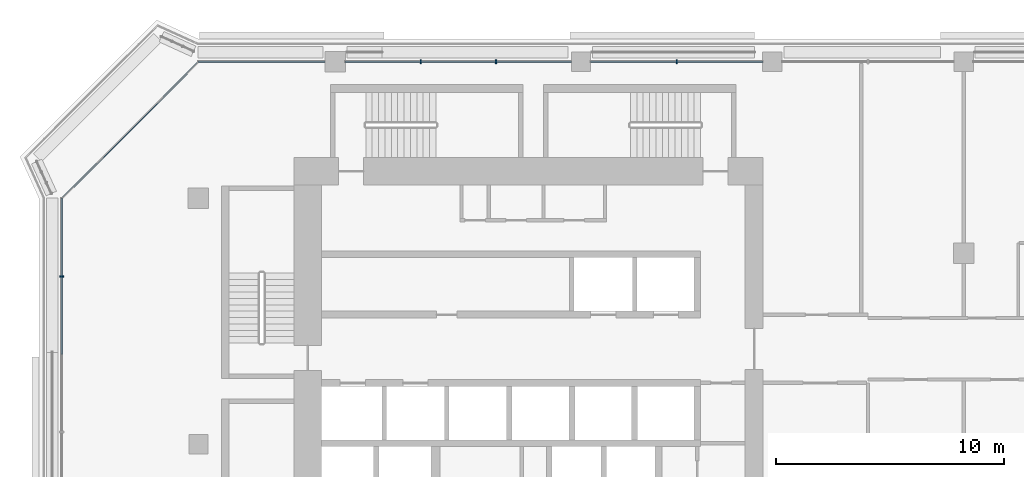
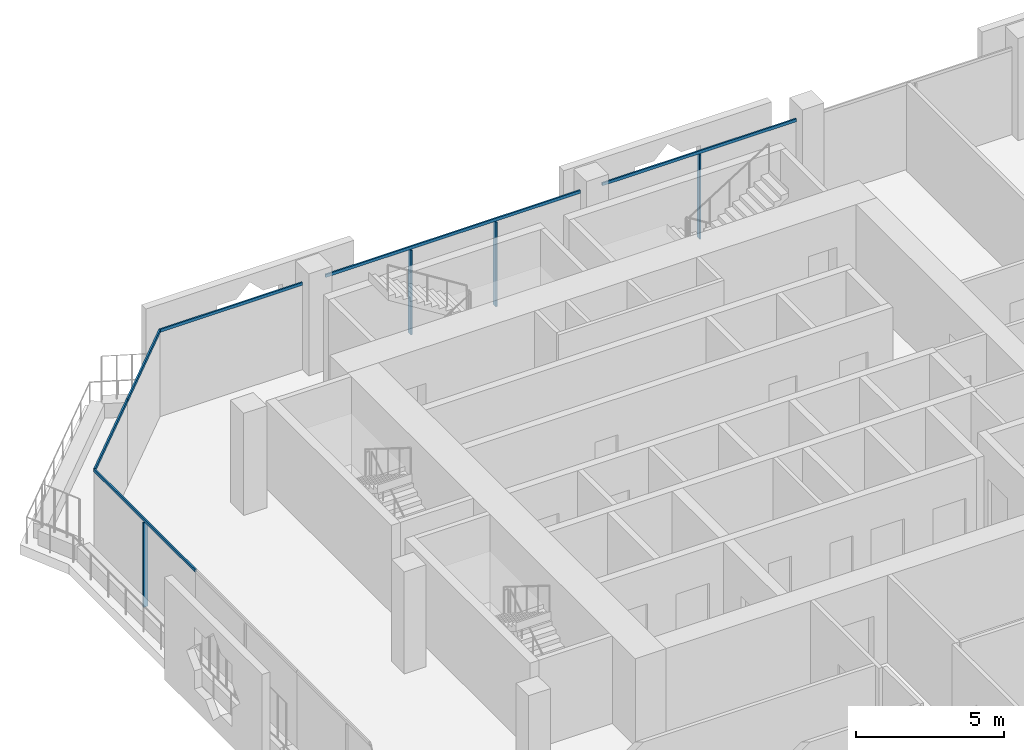
# One storey, part 5 of 21: 10 members, 3 elements without a shape of their own.
"""IFC4 building model written with IfcOpenShell, lengths in metres."""

from ifc_helpers import new_model, si_unit, direction, frame, origin, origin_2d, place, context, subcontext, project, spatial, rectangle, extrude, material, layer, layer_set, material_profile, profile_set, type_object, element, aggregate, save


model = new_model("IFC4")

# Units and contexts
model_context = context("Model", 3, precision=1e-05, world=origin(), true_north=direction((0.0, 1.0)))
body_context = subcontext(model_context, "Body", "Model", "MODEL_VIEW")
ifc_project = project(units=[si_unit("LENGTHUNIT", "METRE"), si_unit("AREAUNIT", "SQUARE_METRE"), si_unit("VOLUMEUNIT", "CUBIC_METRE"), si_unit("PLANEANGLEUNIT", "RADIAN"), si_unit("MASSUNIT", "GRAM", prefix="KILO")], contexts=[model_context])

# Site, building, storey
site_placement = place(None, origin())
site = spatial("IfcSite", under=ifc_project, at=site_placement, CompositionType="ELEMENT")
building_placement = place(site_placement, origin())
building = spatial("IfcBuilding", under=site, at=building_placement, Name="Kawkab Arch Medical Tower", CompositionType="ELEMENT")
storey_placement = place(building_placement, frame((0.0, 0.0, 264.199951171875)))
storey = spatial("IfcBuildingStorey", under=building, at=storey_placement, Name="L61", CompositionType="ELEMENT", Elevation=264.199951171875)

# Curtain wall, member
ifc_material_1 = material(Name="Bronze anodised aluminium curtain wall frame", Category="aluminium")
ifc_layer_1 = layer(ifc_material_1, 0.159912109375)
ifc_layer_set_1 = layer_set([ifc_layer_1], Name="Bronze anodised aluminium curtain wall frame")
curtain_wall_type_1 = type_object("IfcCurtainWallType", Name="CW1 ward curtain wall", PredefinedType="NOTDEFINED", material=ifc_layer_set_1)
placement = place(storey_placement, origin())
curtain_wall_1 = element("IfcCurtainWall", 1, at=placement, inside=storey, type_object=curtain_wall_type_1, Name="CW1 Ward curtain wall R01", PredefinedType="NOTDEFINED")
ifc_material_2 = material(Name="Bronze anodised aluminium curtain wall frame", Category="aluminium")
ifc_material_profile_1 = material_profile(ifc_material_2, rectangle(XDim=0.179931640625, YDim=0.06005859375, at=origin_2d()), Name="AL 60x180")
ifc_profile_set_1 = profile_set([ifc_material_profile_1], Name="Bronze anodised aluminium curtain wall frame")
member_type_1 = type_object("IfcMemberType", Name="CW1 mullion 60 x 180", PredefinedType="MULLION", material=ifc_profile_set_1)
member_1_placement = place(storey_placement, frame((-6.0, -9.419921875, 0.0), z_axis=(0.0, 0.0, 1.0), x_axis=(1.0, 0.0, 0.0)))
member_1 = element("IfcMember", 2, at=member_1_placement, type_object=member_type_1, Name="CW1 mullion 1.1", PredefinedType="MULLION", context=body_context, shape_type="SweptSolid", body=[
    extrude(rectangle(XDim=0.179931640625, YDim=0.06005859375, at=origin_2d()), origin(), (0.0, 0.0, 1.0), 3.47998046875),
])

# Curtain wall, members
curtain_wall_2 = element("IfcCurtainWall", 3, at=placement, inside=storey, type_object=curtain_wall_type_1, Name="CW1 Ward curtain wall R11", PredefinedType="NOTDEFINED")
member_2_placement = place(storey_placement, frame((21.0, 0.0, 0.0), z_axis=(0.0, 0.0, 1.0), x_axis=(0.0, -1.0, 0.0)))
member_2 = element("IfcMember", 4, at=member_2_placement, type_object=member_type_1, Name="CW1 mullion 5.1", PredefinedType="MULLION", context=body_context, shape_type="SweptSolid", body=[
    extrude(rectangle(XDim=0.179931640625, YDim=0.06005859375, at=origin_2d()), origin(), (0.0, 0.0, 1.0), 3.47998046875),
])
member_3_placement = place(storey_placement, frame((13.066650390625, 0.0, 0.0), z_axis=(0.0, 0.0, 1.0), x_axis=(0.0, -1.0, 0.0)))
member_3 = element("IfcMember", 5, at=member_3_placement, type_object=member_type_1, Name="CW1 mullion 6.1", PredefinedType="MULLION", context=body_context, shape_type="SweptSolid", body=[
    extrude(rectangle(XDim=0.179931640625, YDim=0.06005859375, at=origin_2d()), origin(), (0.0, 0.0, 1.0), 3.47998046875),
])
member_4_placement = place(storey_placement, frame((9.75830078125, 0.0, 0.0), z_axis=(0.0, 0.0, 1.0), x_axis=(0.0, -1.0, 0.0)))
member_4 = element("IfcMember", 6, at=member_4_placement, type_object=member_type_1, Name="CW1 mullion 6.2", PredefinedType="MULLION", context=body_context, shape_type="SweptSolid", body=[
    extrude(rectangle(XDim=0.179931640625, YDim=0.06005859375, at=origin_2d()), origin(), (0.0, 0.0, 1.0), 3.47998046875),
])

# Member
ifc_material_3 = material(Name="Bronze anodised aluminium curtain wall frame", Category="aluminium")
ifc_material_profile_2 = material_profile(ifc_material_3, rectangle(XDim=0.06005859375, YDim=0.1201171875, at=origin_2d()), Name="AL 60x120")
ifc_profile_set_2 = profile_set([ifc_material_profile_2], Name="Bronze anodised aluminium curtain wall frame")
member_type_2 = type_object("IfcMemberType", Name="CW1 transom 120 x 60", PredefinedType="USERDEFINED", material=ifc_profile_set_2)
member_5_placement = place(storey_placement, frame((-6.0, -6.0, 3.5400390625), z_axis=(0.0, -1.0, 0.0), x_axis=(1.0, 0.0, 0.0)))
member_5 = element("IfcMember", 7, at=member_5_placement, type_object=member_type_2, Name="CW1 transom 1", ObjectType="TRANSOM", PredefinedType="USERDEFINED", context=body_context, shape_type="SweptSolid", body=[
    extrude(rectangle(XDim=0.06005859375, YDim=0.1201171875, at=origin_2d()), origin(), (0.0, 0.0, 1.0), 6.840087890625),
])

aggregate(curtain_wall_1, [member_5, member_1])

member_6_placement = place(storey_placement, frame((24.77490234375, 0.0, 3.5400390625), z_axis=(-1.0, 0.0, 0.0), x_axis=(0.0, -1.0, 0.0)))
member_6 = element("IfcMember", 8, at=member_6_placement, type_object=member_type_2, Name="CW1 transom 5", ObjectType="TRANSOM", PredefinedType="USERDEFINED", context=body_context, shape_type="SweptSolid", body=[
    extrude(rectangle(XDim=0.06005859375, YDim=0.1201171875, at=origin_2d()), origin(), (0.0, 0.0, 1.0), 7.5498046875),
])

member_7_placement = place(storey_placement, frame((16.375, 0.0, 3.5400390625), z_axis=(-1.0, 0.0, 0.0), x_axis=(0.0, -1.0, 0.0)))
member_7 = element("IfcMember", 9, at=member_7_placement, type_object=member_type_2, Name="CW1 transom 6", ObjectType="TRANSOM", PredefinedType="USERDEFINED", context=body_context, shape_type="SweptSolid", body=[
    extrude(rectangle(XDim=0.06005859375, YDim=0.1201171875, at=origin_2d()), origin(), (0.0, 0.0, 1.0), 9.925048828125),
])

member_8_placement = place(storey_placement, frame((5.550048828125, 0.0, 3.5400390625), z_axis=(-1.0, 0.0, 0.0), x_axis=(0.0, -1.0, 0.0)))
member_8 = element("IfcMember", 10, at=member_8_placement, type_object=member_type_2, Name="CW1 transom 7", ObjectType="TRANSOM", PredefinedType="USERDEFINED", context=body_context, shape_type="SweptSolid", body=[
    extrude(rectangle(XDim=0.06005859375, YDim=0.1201171875, at=origin_2d()), origin(), (0.0, 0.0, 1.0), 5.550048828125),
])

aggregate(curtain_wall_2, [member_6, member_2, member_7, member_3, member_4, member_8])

# Curtain wall, members
ifc_material_4 = material(Name="Bronze anodised aluminium curtain wall frame", Category="aluminium")
ifc_layer_2 = layer(ifc_material_4, 0.159912109375)
ifc_layer_set_2 = layer_set([ifc_layer_2], Name="Bronze anodised aluminium curtain wall frame")
curtain_wall_type_2 = type_object("IfcCurtainWallType", Name="CW2 chamfer curtain wall", PredefinedType="NOTDEFINED", material=ifc_layer_set_2)
curtain_wall_3 = element("IfcCurtainWall", 11, at=placement, inside=storey, type_object=curtain_wall_type_2, Name="CW2 Chamfer curtain wall R12", PredefinedType="NOTDEFINED")
ifc_material_5 = material(Name="Bronze anodised aluminium curtain wall frame", Category="aluminium")
ifc_material_profile_3 = material_profile(ifc_material_5, rectangle(XDim=0.06005859375, YDim=0.139892578125, at=origin_2d()), Name="AL 60x140")
ifc_profile_set_3 = profile_set([ifc_material_profile_3], Name="Bronze anodised aluminium curtain wall frame")
member_type_3 = type_object("IfcMemberType", Name="CW2 transom 140 x 60", PredefinedType="USERDEFINED", material=ifc_profile_set_3)
member_9_placement = place(storey_placement, frame((0.0, 0.0, 3.530029296875), z_axis=(-0.707106781187, -0.707106781187, 0.0), x_axis=(0.707106781187, -0.707106781187, 0.0)))
member_9 = element("IfcMember", 12, at=member_9_placement, type_object=member_type_3, Name="CW2 transom 1", ObjectType="TRANSOM", PredefinedType="USERDEFINED", context=body_context, shape_type="SweptSolid", body=[
    extrude(rectangle(XDim=0.06005859375, YDim=0.139892578125, at=origin_2d()), origin(), (0.0, 0.0, 1.0), 4.24267578125),
])
member_10_placement = place(storey_placement, frame((-3.0, -3.0, 3.530029296875), z_axis=(-0.707106781187, -0.707106781187, 0.0), x_axis=(0.707106781187, -0.707106781187, 0.0)))
member_10 = element("IfcMember", 13, at=member_10_placement, type_object=member_type_3, Name="CW2 transom 2", ObjectType="TRANSOM", PredefinedType="USERDEFINED", context=body_context, shape_type="SweptSolid", body=[
    extrude(rectangle(XDim=0.06005859375, YDim=0.139892578125, at=origin_2d()), origin(), (0.0, 0.0, 1.0), 4.24267578125),
])
aggregate(curtain_wall_3, [member_9, member_10])

save(model, "model.ifc")
